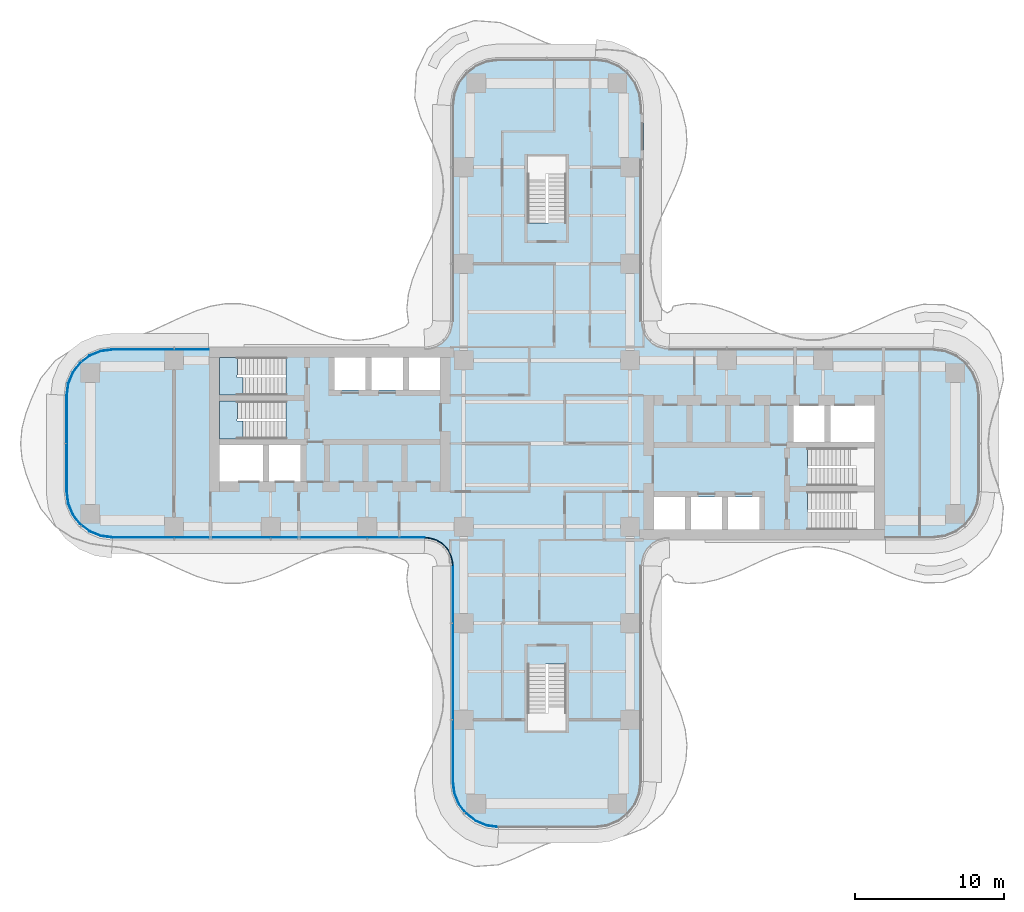
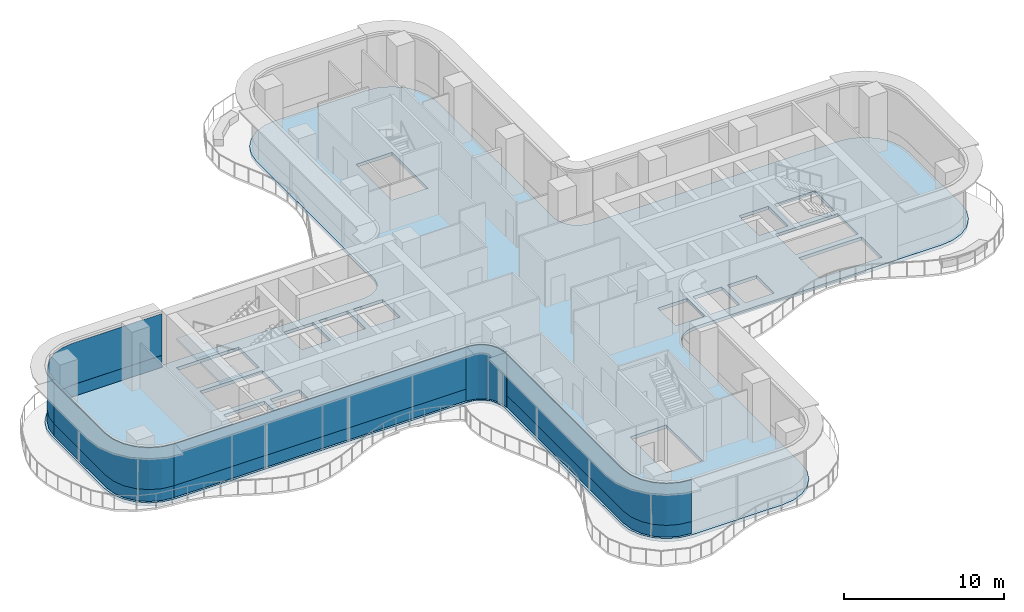
# One storey, part 12 of 20: 9 plates, 3 slabs, 7 elements without a shape of their own.
"""IFC4 building model written with IfcOpenShell, lengths in metres."""

from ifc_helpers import new_model, si_unit, direction, frame, origin, place, context, subcontext, project, spatial, polyline, outline, extrude, source, transform, mapped, material, layer, layer_set, type_object, element, aggregate, save


model = new_model("IFC4")

# Units and contexts
model_context = context("Model", 3, precision=1e-05, world=origin(), true_north=direction((0.0, 1.0)))
body_context = subcontext(model_context, "Body", "Model", "MODEL_VIEW")
ifc_project = project(units=[si_unit("LENGTHUNIT", "METRE"), si_unit("AREAUNIT", "SQUARE_METRE"), si_unit("VOLUMEUNIT", "CUBIC_METRE"), si_unit("PLANEANGLEUNIT", "RADIAN"), si_unit("MASSUNIT", "GRAM", prefix="KILO")], contexts=[model_context])

# Site, building, storey
site_placement = place(None, origin())
site = spatial("IfcSite", under=ifc_project, at=site_placement, CompositionType="ELEMENT")
building_placement = place(site_placement, origin())
building = spatial("IfcBuilding", under=site, at=building_placement, Name="Trellis Farm Tower", CompositionType="ELEMENT")
storey_placement = place(building_placement, frame((0.0, 0.0, 133.5)))
storey = spatial("IfcBuildingStorey", under=building, at=storey_placement, Name="L28", CompositionType="ELEMENT", Elevation=133.5)

# Slab
ifc_material_1 = material(Name="Concrete C40/50", Category="concrete")
ifc_layer_1 = layer(ifc_material_1, 0.25)
ifc_layer_set_1 = layer_set([ifc_layer_1], Name="Composite deck floor slab 250")
slab_type_1 = type_object("IfcSlabType", Name="Composite deck floor slab 250", PredefinedType="FLOOR", material=ifc_layer_set_1)
shared_shape_1 = source(origin(), body_context, "Body", "SweptSolid", [
    extrude(outline(polyline([(-30.09130859375, -6.389404296875), (-30.875, -6.064697265625), (-31.548095703125, -5.548095703125), (-32.064697265625, -4.875), (-32.389404296875, -4.09130859375), (-32.5, -3.25), (-32.5, 3.25), (-32.389404296875, 4.09130859375), (-32.064697265625, 4.875), (-31.548095703125, 5.548095703125), (-30.875, 6.064697265625), (-30.09130859375, 6.389404296875), (-29.25, 6.5), (-8.2314453125, 6.5), (-8.01953125, 6.513916015625), (-7.91552734375, 6.527587890625), (-7.508544921875, 6.63671875), (-7.144287109375, 6.846923828125), (-6.846923828125, 7.144287109375), (-6.63671875, 7.508544921875), (-6.527587890625, 7.91552734375), (-6.513916015625, 8.01953125), (-6.5, 8.2314453125), (-6.5, 22.75), (-6.389404296875, 23.59130859375), (-6.064697265625, 24.375), (-5.548095703125, 25.048095703125), (-4.875, 25.564697265625), (-4.09130859375, 25.889404296875), (-3.25, 26.0), (3.25, 26.0), (4.09130859375, 25.889404296875), (4.875, 25.564697265625), (5.548095703125, 25.048095703125), (6.064697265625, 24.375), (6.389404296875, 23.59130859375), (6.5, 22.75), (6.5, 8.2314453125), (6.513916015625, 8.01953125), (6.527587890625, 7.91552734375), (6.63671875, 7.508544921875), (6.846923828125, 7.144287109375), (7.144287109375, 6.846923828125), (7.508544921875, 6.63671875), (7.91552734375, 6.527587890625), (8.01953125, 6.513916015625), (8.2314453125, 6.5), (26.0, 6.5), (26.84130859375, 6.389404296875), (27.625, 6.064697265625), (28.298095703125, 5.548095703125), (28.814697265625, 4.875), (29.139404296875, 4.09130859375), (29.25, 3.25), (29.25, -3.25), (29.139404296875, -4.09130859375), (28.814697265625, -4.875), (28.298095703125, -5.548095703125), (27.625, -6.064697265625), (26.84130859375, -6.389404296875), (26.0, -6.5), (8.2314453125, -6.5), (8.01953125, -6.513916015625), (7.91552734375, -6.527587890625), (7.508544921875, -6.63671875), (7.144287109375, -6.846923828125), (6.846923828125, -7.144287109375), (6.63671875, -7.508544921875), (6.527587890625, -7.91552734375), (6.513916015625, -8.01953125), (6.5, -8.2314453125), (6.5, -22.75), (6.389404296875, -23.59130859375), (6.064697265625, -24.375), (5.548095703125, -25.048095703125), (4.875, -25.564697265625), (4.09130859375, -25.889404296875), (3.25, -26.0), (-3.25, -26.0), (-4.09130859375, -25.889404296875), (-4.875, -25.564697265625), (-5.548095703125, -25.048095703125), (-6.064697265625, -24.375), (-6.389404296875, -23.59130859375), (-6.5, -22.75), (-6.5, -8.2314453125), (-6.513916015625, -8.01953125), (-6.527587890625, -7.91552734375), (-6.63671875, -7.508544921875), (-6.846923828125, -7.144287109375), (-7.144287109375, -6.846923828125), (-7.508544921875, -6.63671875), (-7.91552734375, -6.527587890625), (-8.01953125, -6.513916015625), (-8.2314453125, -6.5), (-29.25, -6.5), (-30.09130859375, -6.389404296875)]), holes=[polyline([(-22.050048828125, -0.10009765625), (-22.050048828125, -2.550048828125), (-19.10009765625, -2.550048828125), (-19.10009765625, -0.10009765625), (-22.050048828125, -0.10009765625)]), polyline([(-18.699951171875, -0.10009765625), (-18.699951171875, -2.550048828125), (-16.60009765625, -2.550048828125), (-16.60009765625, -0.10009765625), (-18.699951171875, -0.10009765625)]), polyline([(-17.56201171875, 1.64990234375), (-17.56201171875, 2.85009765625), (-22.050048828125, 2.85009765625), (-22.050048828125, 0.300048828125), (-17.56005859375, 0.300048828125), (-17.56005859375, 1.5), (-17.550048828125, 1.5), (-17.550048828125, 1.64990234375), (-17.56201171875, 1.64990234375)]), polyline([(-17.56201171875, 4.60009765625), (-17.56201171875, 5.800048828125), (-22.050048828125, 5.800048828125), (-22.050048828125, 3.25), (-17.56005859375, 3.25), (-17.56005859375, 4.449951171875), (-17.550048828125, 4.449951171875), (-17.550048828125, 4.60009765625), (-17.56201171875, 4.60009765625)]), polyline([(-14.300048828125, 5.800048828125), (-14.300048828125, 3.60009765625), (-12.199951171875, 3.60009765625), (-12.199951171875, 5.800048828125), (-14.300048828125, 5.800048828125)]), polyline([(-11.800048828125, 5.800048828125), (-11.800048828125, 3.60009765625), (-9.699951171875, 3.60009765625), (-9.699951171875, 5.800048828125), (-11.800048828125, 5.800048828125)]), polyline([(-9.300048828125, 5.800048828125), (-9.300048828125, 3.60009765625), (-7.199951171875, 3.60009765625), (-7.199951171875, 5.800048828125), (-9.300048828125, 5.800048828125)]), polyline([(0.10009765625, 14.862060546875), (1.300048828125, 14.862060546875), (1.300048828125, 19.35009765625), (-1.300048828125, 19.35009765625), (-1.300048828125, 14.860107421875), (-0.10009765625, 14.860107421875), (-0.10009765625, 14.85009765625), (0.10009765625, 14.85009765625), (0.10009765625, 14.862060546875)]), polyline([(-0.10009765625, -14.862060546875), (-1.300048828125, -14.862060546875), (-1.300048828125, -19.35009765625), (1.300048828125, -19.35009765625), (1.300048828125, -14.860107421875), (0.10009765625, -14.860107421875), (0.10009765625, -14.85009765625), (-0.10009765625, -14.85009765625), (-0.10009765625, -14.862060546875)]), polyline([(9.300048828125, -5.800048828125), (9.300048828125, -3.60009765625), (7.199951171875, -3.60009765625), (7.199951171875, -5.800048828125), (9.300048828125, -5.800048828125)]), polyline([(11.800048828125, -5.800048828125), (11.800048828125, -3.60009765625), (9.699951171875, -3.60009765625), (9.699951171875, -5.800048828125), (11.800048828125, -5.800048828125)]), polyline([(14.300048828125, -5.800048828125), (14.300048828125, -3.60009765625), (12.199951171875, -3.60009765625), (12.199951171875, -5.800048828125), (14.300048828125, -5.800048828125)]), polyline([(17.56201171875, -4.60009765625), (17.56201171875, -5.800048828125), (22.050048828125, -5.800048828125), (22.050048828125, -3.25), (17.56005859375, -3.25), (17.56005859375, -4.449951171875), (17.550048828125, -4.449951171875), (17.550048828125, -4.60009765625), (17.56201171875, -4.60009765625)]), polyline([(17.56201171875, -1.64990234375), (17.56201171875, -2.85009765625), (22.050048828125, -2.85009765625), (22.050048828125, -0.300048828125), (17.56005859375, -0.300048828125), (17.56005859375, -1.5), (17.550048828125, -1.5), (17.550048828125, -1.64990234375), (17.56201171875, -1.64990234375)]), polyline([(18.699951171875, 0.10009765625), (18.699951171875, 2.550048828125), (16.60009765625, 2.550048828125), (16.60009765625, 0.10009765625), (18.699951171875, 0.10009765625)]), polyline([(22.050048828125, 0.10009765625), (22.050048828125, 2.550048828125), (19.10009765625, 2.550048828125), (19.10009765625, 0.10009765625), (22.050048828125, 0.10009765625)])]), origin(), (0.0, 0.0, 1.0), 0.25),
])
slab_1_placement = place(storey_placement, frame((0.0, 0.0, -0.25)))
element("IfcSlab", 1, at=slab_1_placement, inside=storey, type_object=slab_type_1, Name="Floor slab", PredefinedType="FLOOR", context=body_context, shape_type="MappedRepresentation", body=[
    mapped(shared_shape_1, transform((0.0, 0.0, 0.0))),
])

# Stair, slab
ifc_material_2 = material(Name="Concrete C50/60", Category="concrete")
stair_type = type_object("IfcStairType", Name="CORE EXIT STAIR 26 RISERS 173 MM", PredefinedType="HALF_TURN_STAIR", material=ifc_material_2)
placement_1 = place(storey_placement, origin())
stair_1 = element("IfcStair", 2, at=placement_1, inside=storey, type_object=stair_type, Name="Exit stair W1", PredefinedType="HALF_TURN_STAIR")
ifc_layer_2 = layer(ifc_material_2, 0.18994140625)
ifc_layer_set_2 = layer_set([ifc_layer_2], Name="CORE STAIR LANDING 190 CONCRETE C50/60")
slab_type_2 = type_object("IfcSlabType", Name="CORE STAIR LANDING 190 CONCRETE C50/60", PredefinedType="LANDING", material=ifc_layer_set_2)
shared_shape_2 = source(origin(), body_context, "Body", "SweptSolid", [
    extrude(outline(polyline([(-20.453125, 4.449951171875), (-20.453125, 3.25), (-20.85009765625, 3.25), (-22.050048828125, 3.25), (-22.050048828125, 5.800048828125), (-20.85009765625, 5.800048828125), (-20.840087890625, 5.800048828125), (-20.840087890625, 4.60009765625), (-20.85009765625, 4.60009765625), (-20.85009765625, 4.449951171875), (-20.453125, 4.449951171875)])), origin(), (0.0, 0.0, 1.0), 0.18994140625),
])
placement_2 = place(storey_placement, frame((0.0, 0.0, 2.06005859375)))
slab_2 = element("IfcSlab", 3, at=placement_2, type_object=slab_type_2, Name="STW1 landing 1", PredefinedType="LANDING", context=body_context, shape_type="MappedRepresentation", body=[
    mapped(shared_shape_2, transform((0.0, 0.0, 0.0))),
])
aggregate(stair_1, [slab_2])

stair_2 = element("IfcStair", 4, at=placement_1, inside=storey, type_object=stair_type, Name="Exit stair W2", PredefinedType="HALF_TURN_STAIR")
shared_shape_3 = source(origin(), body_context, "Body", "SweptSolid", [
    extrude(outline(polyline([(-20.453125, 1.5), (-20.453125, 0.300048828125), (-20.85009765625, 0.300048828125), (-22.050048828125, 0.300048828125), (-22.050048828125, 2.85009765625), (-20.85009765625, 2.85009765625), (-20.840087890625, 2.85009765625), (-20.840087890625, 1.64990234375), (-20.85009765625, 1.64990234375), (-20.85009765625, 1.5), (-20.453125, 1.5)])), origin(), (0.0, 0.0, 1.0), 0.18994140625),
])
slab_3 = element("IfcSlab", 5, at=placement_2, type_object=slab_type_2, Name="STW2 landing 1", PredefinedType="LANDING", context=body_context, shape_type="MappedRepresentation", body=[
    mapped(shared_shape_3, transform((0.0, 0.0, 0.0))),
])
aggregate(stair_2, [slab_3])

# Curtain wall, plates
ifc_material_3 = material(Name="Aluminium and glass curtain wall", Category="aluminium")
ifc_layer_3 = layer(ifc_material_3, 0.18994140625)
ifc_layer_set_3 = layer_set([ifc_layer_3], Name="RIBBON CURTAIN WALL CW1")
curtain_wall_type_1 = type_object("IfcCurtainWallType", Name="RIBBON CURTAIN WALL CW1", PredefinedType="NOTDEFINED", material=ifc_layer_set_3)
curtain_wall_1 = element("IfcCurtainWall", 6, at=placement_1, inside=storey, type_object=curtain_wall_type_1, Name="CW1 001", PredefinedType="NOTDEFINED")
ifc_material_4 = material(Name="Clear insulated glass", Category="glass")
ifc_layer_4 = layer(ifc_material_4, 0.0400390625)
ifc_layer_set_4 = layer_set([ifc_layer_4], Name="CW1 GLASS PANEL 40")
plate_type_1 = type_object("IfcPlateType", Name="CW1 GLASS PANEL 40", PredefinedType="CURTAIN_PANEL", material=ifc_layer_set_4)
shared_shape_4 = source(origin(), body_context, "Body", "SweptSolid", [
    extrude(outline(polyline([(-29.240234375, -6.35009765625), (-8.2265625, -6.35009765625), (-8.22509765625, -6.31005859375), (-29.237548828125, -6.31005859375), (-29.240234375, -6.35009765625)])), origin(), (0.0, 0.0, 1.0), 3.170166015625),
])
placement_3 = place(storey_placement, frame((0.0, 0.0, 0.89990234375)))
plate_1 = element("IfcPlate", 7, at=placement_3, type_object=plate_type_1, Name="PL1 001", PredefinedType="CURTAIN_PANEL", context=body_context, shape_type="MappedRepresentation", body=[
    mapped(shared_shape_4, transform((0.0, 0.0, 0.0))),
])
ifc_material_5 = material(Name="Sandstone faced insulated panel", Category="masonry")
ifc_layer_5 = layer(ifc_material_5, 0.050048828125)
ifc_layer_set_5 = layer_set([ifc_layer_5], Name="CW1 STONE SPANDREL PANEL 50")
plate_type_2 = type_object("IfcPlateType", Name="CW1 STONE SPANDREL PANEL 50", PredefinedType="CURTAIN_PANEL", material=ifc_layer_set_5)
shared_shape_5 = source(origin(), body_context, "Body", "SweptSolid", [
    extrude(outline(polyline([(-29.240234375, -6.35009765625), (-8.2265625, -6.35009765625), (-8.224853515625, -6.300048828125), (-29.23681640625, -6.300048828125), (-29.240234375, -6.35009765625)])), origin(), (0.0, 0.0, 1.0), 0.89990234375),
])
plate_2 = element("IfcPlate", 8, at=placement_1, type_object=plate_type_2, Name="PS1 001", PredefinedType="CURTAIN_PANEL", context=body_context, shape_type="MappedRepresentation", body=[
    mapped(shared_shape_5, transform((0.0, 0.0, 0.0))),
])
aggregate(curtain_wall_1, [plate_1, plate_2])

# Curtain wall, plate
ifc_layer_6 = layer(ifc_material_3, 0.166015625)
ifc_layer_set_6 = layer_set([ifc_layer_6], Name="WINTER GARDEN CURTAIN WALL CW3")
curtain_wall_type_2 = type_object("IfcCurtainWallType", Name="WINTER GARDEN CURTAIN WALL CW3", PredefinedType="NOTDEFINED", material=ifc_layer_set_6)
curtain_wall_2 = element("IfcCurtainWall", 9, at=placement_1, inside=storey, type_object=curtain_wall_type_2, Name="CW3 001", PredefinedType="NOTDEFINED")
ifc_layer_7 = layer(ifc_material_4, 0.0458984375)
ifc_layer_set_7 = layer_set([ifc_layer_7], Name="CW3 GLASS PANEL 46")
plate_type_3 = type_object("IfcPlateType", Name="CW3 GLASS PANEL 46", PredefinedType="CURTAIN_PANEL", material=ifc_layer_set_7)
shared_shape_6 = source(origin(), body_context, "Body", "SweptSolid", [
    extrude(outline(polyline([(-8.2275390625, -6.3798828125), (-8.0078125, -6.394287109375), (-7.89208984375, -6.40966796875), (-7.462158203125, -6.52490234375), (-7.070556640625, -6.7509765625), (-6.7509765625, -7.070556640625), (-6.52490234375, -7.462158203125), (-6.40966796875, -7.89208984375), (-6.394287109375, -8.0078125), (-6.3798828125, -8.2275390625), (-6.333984375, -8.22607421875), (-6.3486328125, -8.003173828125), (-6.364501953125, -7.883056640625), (-6.48193359375, -7.4443359375), (-6.714111328125, -7.04248046875), (-7.04248046875, -6.714111328125), (-7.4443359375, -6.48193359375), (-7.883056640625, -6.364501953125), (-8.003173828125, -6.3486328125), (-8.22607421875, -6.333984375), (-8.2275390625, -6.3798828125)])), origin(), (0.0, 0.0, 1.0), 4.10009765625),
])
plate_3 = element("IfcPlate", 10, at=placement_1, type_object=plate_type_3, Name="PL3 001", PredefinedType="CURTAIN_PANEL", context=body_context, shape_type="MappedRepresentation", body=[
    mapped(shared_shape_6, transform((0.0, 0.0, 0.0))),
])
aggregate(curtain_wall_2, [plate_3])

# Curtain wall, plates
curtain_wall_3 = element("IfcCurtainWall", 11, at=placement_1, inside=storey, type_object=curtain_wall_type_1, Name="CW1 012", PredefinedType="NOTDEFINED")
shared_shape_7 = source(origin(), body_context, "Body", "SweptSolid", [
    extrude(outline(polyline([(-22.780029296875, 6.35009765625), (-29.240234375, 6.35009765625), (-30.052001953125, 6.2431640625), (-30.79931640625, 5.93359375), (-31.441162109375, 5.441162109375), (-31.93359375, 4.79931640625), (-32.2431640625, 4.052001953125), (-32.35009765625, 3.240234375), (-32.31005859375, 3.237548828125), (-32.2041015625, 4.04150390625), (-31.898681640625, 4.779296875), (-31.41259765625, 5.41259765625), (-30.779296875, 5.898681640625), (-30.04150390625, 6.2041015625), (-29.237548828125, 6.31005859375), (-22.780029296875, 6.31005859375), (-22.780029296875, 6.35009765625)])), origin(), (0.0, 0.0, 1.0), 3.170166015625),
])
plate_4 = element("IfcPlate", 12, at=placement_3, type_object=plate_type_1, Name="PL1 012", PredefinedType="CURTAIN_PANEL", context=body_context, shape_type="MappedRepresentation", body=[
    mapped(shared_shape_7, transform((0.0, 0.0, 0.0))),
])
shared_shape_8 = source(origin(), body_context, "Body", "SweptSolid", [
    extrude(outline(polyline([(-22.780029296875, 6.35009765625), (-29.240234375, 6.35009765625), (-30.052001953125, 6.2431640625), (-30.79931640625, 5.93359375), (-31.441162109375, 5.441162109375), (-31.93359375, 4.79931640625), (-32.2431640625, 4.052001953125), (-32.35009765625, 3.240234375), (-32.300048828125, 3.23681640625), (-32.1943359375, 4.0390625), (-31.889892578125, 4.774169921875), (-31.405517578125, 5.405517578125), (-30.774169921875, 5.889892578125), (-30.0390625, 6.1943359375), (-29.23681640625, 6.300048828125), (-22.780029296875, 6.300048828125), (-22.780029296875, 6.35009765625)])), origin(), (0.0, 0.0, 1.0), 0.89990234375),
])
plate_5 = element("IfcPlate", 13, at=placement_1, type_object=plate_type_2, Name="PS1 012", PredefinedType="CURTAIN_PANEL", context=body_context, shape_type="MappedRepresentation", body=[
    mapped(shared_shape_8, transform((0.0, 0.0, 0.0))),
])
aggregate(curtain_wall_3, [plate_4, plate_5])

curtain_wall_4 = element("IfcCurtainWall", 14, at=placement_1, inside=storey, type_object=curtain_wall_type_1, Name="CW1 013", PredefinedType="NOTDEFINED")
shared_shape_9 = source(origin(), body_context, "Body", "SweptSolid", [
    extrude(outline(polyline([(-32.35009765625, 3.240234375), (-32.35009765625, -3.240234375), (-32.2431640625, -4.052001953125), (-31.93359375, -4.79931640625), (-31.441162109375, -5.441162109375), (-30.79931640625, -5.93359375), (-30.052001953125, -6.2431640625), (-29.240234375, -6.35009765625), (-29.237548828125, -6.31005859375), (-30.04150390625, -6.2041015625), (-30.779296875, -5.898681640625), (-31.41259765625, -5.41259765625), (-31.898681640625, -4.779296875), (-32.2041015625, -4.04150390625), (-32.31005859375, -3.237548828125), (-32.31005859375, 3.237548828125), (-32.35009765625, 3.240234375)])), origin(), (0.0, 0.0, 1.0), 3.170166015625),
])
plate_6 = element("IfcPlate", 15, at=placement_3, type_object=plate_type_1, Name="PL1 013", PredefinedType="CURTAIN_PANEL", context=body_context, shape_type="MappedRepresentation", body=[
    mapped(shared_shape_9, transform((0.0, 0.0, 0.0))),
])
shared_shape_10 = source(origin(), body_context, "Body", "SweptSolid", [
    extrude(outline(polyline([(-32.35009765625, 3.240234375), (-32.35009765625, -3.240234375), (-32.2431640625, -4.052001953125), (-31.93359375, -4.79931640625), (-31.441162109375, -5.441162109375), (-30.79931640625, -5.93359375), (-30.052001953125, -6.2431640625), (-29.240234375, -6.35009765625), (-29.23681640625, -6.300048828125), (-30.0390625, -6.1943359375), (-30.774169921875, -5.889892578125), (-31.405517578125, -5.405517578125), (-31.889892578125, -4.774169921875), (-32.1943359375, -4.0390625), (-32.300048828125, -3.23681640625), (-32.300048828125, 3.23681640625), (-32.35009765625, 3.240234375)])), origin(), (0.0, 0.0, 1.0), 0.89990234375),
])
plate_7 = element("IfcPlate", 16, at=placement_1, type_object=plate_type_2, Name="PS1 013", PredefinedType="CURTAIN_PANEL", context=body_context, shape_type="MappedRepresentation", body=[
    mapped(shared_shape_10, transform((0.0, 0.0, 0.0))),
])
aggregate(curtain_wall_4, [plate_6, plate_7])

curtain_wall_5 = element("IfcCurtainWall", 17, at=placement_1, inside=storey, type_object=curtain_wall_type_1, Name="CW1 002", PredefinedType="NOTDEFINED")
shared_shape_11 = source(origin(), body_context, "Body", "SweptSolid", [
    extrude(outline(polyline([(-6.35009765625, -8.2265625), (-6.35009765625, -22.740234375), (-6.2431640625, -23.552001953125), (-5.93359375, -24.29931640625), (-5.441162109375, -24.941162109375), (-4.79931640625, -25.43359375), (-4.052001953125, -25.7431640625), (-3.240234375, -25.85009765625), (-3.237548828125, -25.81005859375), (-4.04150390625, -25.7041015625), (-4.779296875, -25.398681640625), (-5.41259765625, -24.91259765625), (-5.898681640625, -24.279296875), (-6.2041015625, -23.54150390625), (-6.31005859375, -22.737548828125), (-6.31005859375, -8.22509765625), (-6.35009765625, -8.2265625)])), origin(), (0.0, 0.0, 1.0), 3.170166015625),
])
plate_8 = element("IfcPlate", 18, at=placement_3, type_object=plate_type_1, Name="PL1 002", PredefinedType="CURTAIN_PANEL", context=body_context, shape_type="MappedRepresentation", body=[
    mapped(shared_shape_11, transform((0.0, 0.0, 0.0))),
])
shared_shape_12 = source(origin(), body_context, "Body", "SweptSolid", [
    extrude(outline(polyline([(-6.35009765625, -8.2265625), (-6.35009765625, -22.740234375), (-6.2431640625, -23.552001953125), (-5.93359375, -24.29931640625), (-5.441162109375, -24.941162109375), (-4.79931640625, -25.43359375), (-4.052001953125, -25.7431640625), (-3.240234375, -25.85009765625), (-3.23681640625, -25.800048828125), (-4.0390625, -25.6943359375), (-4.774169921875, -25.389892578125), (-5.405517578125, -24.905517578125), (-5.889892578125, -24.274169921875), (-6.1943359375, -23.5390625), (-6.300048828125, -22.73681640625), (-6.300048828125, -8.224853515625), (-6.35009765625, -8.2265625)])), origin(), (0.0, 0.0, 1.0), 0.89990234375),
])
plate_9 = element("IfcPlate", 19, at=placement_1, type_object=plate_type_2, Name="PS1 002", PredefinedType="CURTAIN_PANEL", context=body_context, shape_type="MappedRepresentation", body=[
    mapped(shared_shape_12, transform((0.0, 0.0, 0.0))),
])
aggregate(curtain_wall_5, [plate_8, plate_9])

save(model, "model.ifc")
